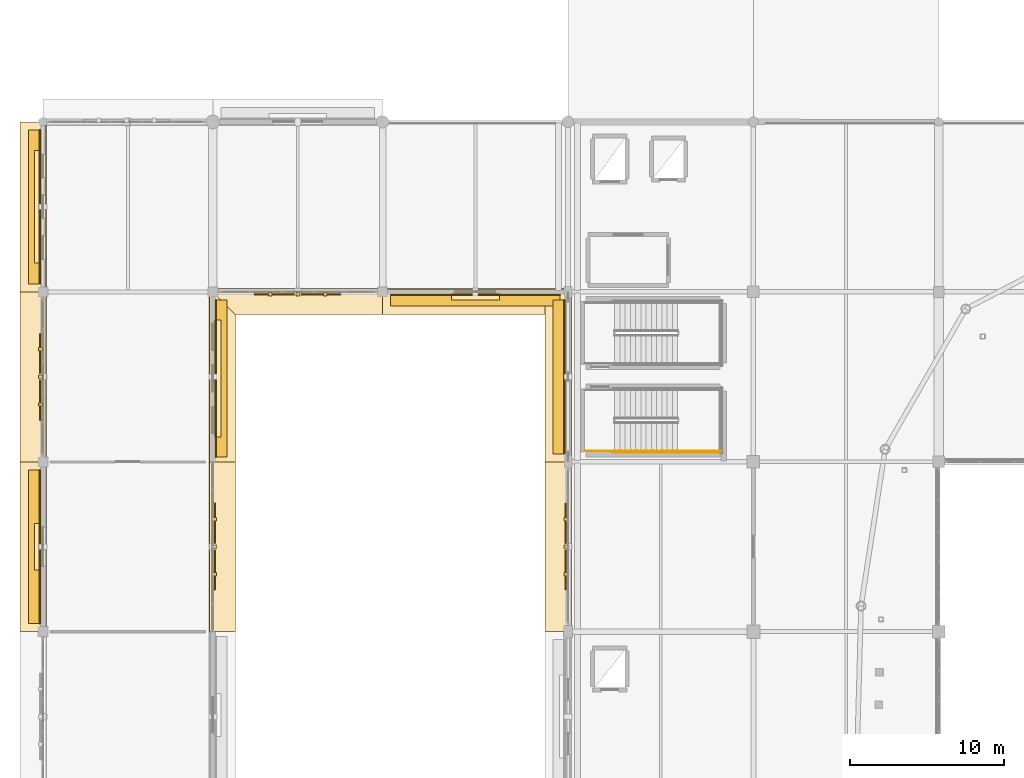
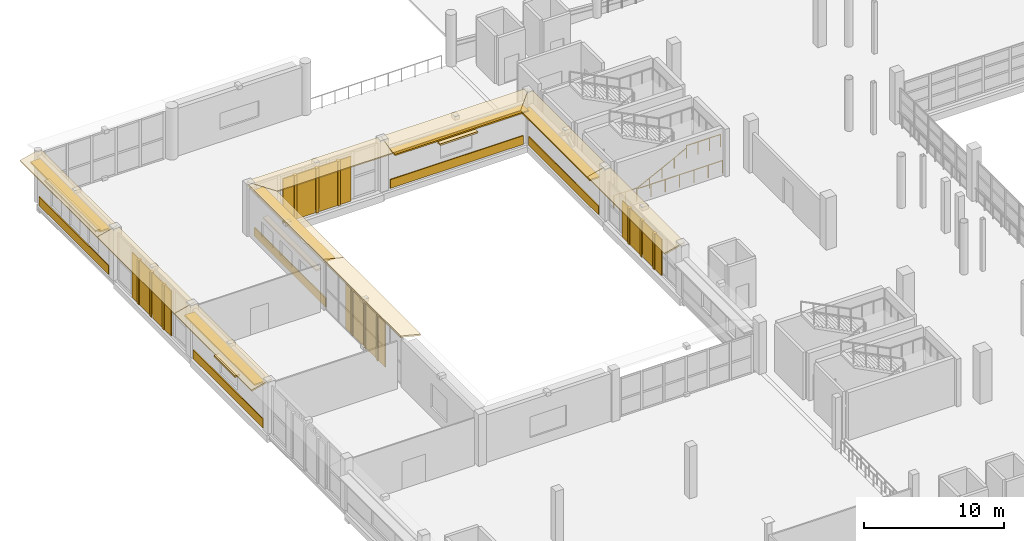
# One storey, part 104 of 118: 30 coverings, 9 shading devices, 4 railings.
"""IFC4 building model written with IfcOpenShell, lengths in metres."""

import ifcopenshell
import ifcopenshell.guid

model = None  # the IFC model being written
_history = None  # IfcOwnerHistory: only IFC2X3 demands one
_inside = {}  # id of a spatial element -> (the spatial element, [elements in it])
_under = {}  # id of a project, library or spatial element -> (it, [spatial elements below it])
_declared = {}  # id of a project -> (the project, [libraries it declares])
_typed = {}  # id of a type object -> (the type object, [elements of that type])
_made_of = {}  # id of a material, layer set ... -> (it, [elements and type objects made of it])


def new_model(schema):
    """Start an empty IFC model of exactly this schema.

    Asked for "IFC4X3", IfcOpenShell would pick the latest addendum, in which some entities
    have other attributes; the version numbers below select the first issue.
    IFC2X3 requires an IfcOwnerHistory on every rooted entity: one is made here for all.
    """
    global model, _history
    if schema == "IFC4X3":
        model = ifcopenshell.file(schema_version=(4, 3, 0, 0))
    else:
        model = ifcopenshell.file(schema=schema)
    _inside.clear()
    _under.clear()
    _declared.clear()
    _typed.clear()
    _made_of.clear()
    _history = None
    if model.schema == "IFC2X3":
        org = make("IfcOrganization", Name="unknown")
        user = make(
            "IfcPersonAndOrganization",
            ThePerson=make("IfcPerson", FamilyName="unknown"),
            TheOrganization=org,
        )
        app = make(
            "IfcApplication",
            ApplicationDeveloper=org,
            Version="unknown",
            ApplicationFullName="unknown",
            ApplicationIdentifier="unknown",
        )
        _history = make(
            "IfcOwnerHistory",
            OwningUser=user,
            OwningApplication=app,
            ChangeAction="ADDED",
            CreationDate=0,
        )
    return model


def make(cls, **values):
    """One entity of the class cls with the attributes given. An attribute that is None is left unset."""
    return model.create_entity(
        cls, **{name: value for name, value in values.items() if value is not None}
    )


def rooted(cls, **values):
    """An entity with a GlobalId (a new one), such as an element, a storey or a relation."""
    return make(cls, GlobalId=ifcopenshell.guid.new(), OwnerHistory=_history, **values)


def si_unit(unit_type, name, prefix=None):
    """IfcSIUnit, for example si_unit("LENGTHUNIT", "METRE", prefix="MILLI")."""
    return make("IfcSIUnit", UnitType=unit_type, Prefix=prefix, Name=name)


def assignment(units):
    """IfcUnitAssignment: the units of a project."""
    return None if units is None else make("IfcUnitAssignment", Units=units)


def point(xyz):
    """IfcCartesianPoint."""
    return None if xyz is None else make("IfcCartesianPoint", Coordinates=xyz)


def direction(xyz):
    """IfcDirection."""
    return None if xyz is None else make("IfcDirection", DirectionRatios=xyz)


def frame(location, z_axis=None, x_axis=None):
    """IfcAxis2Placement3D, a coordinate frame: its origin and axes. An axis left out is left unset."""
    return make(
        "IfcAxis2Placement3D",
        Location=point(location),
        Axis=direction(z_axis),
        RefDirection=direction(x_axis),
    )


def frame_2d(location, x_axis=None):
    """IfcAxis2Placement2D, a coordinate frame in the plane: its origin and x axis."""
    return make(
        "IfcAxis2Placement2D", Location=point(location), RefDirection=direction(x_axis)
    )


def origin():
    """The frame at (0, 0, 0) with its axes left unset."""
    return frame((0.0, 0.0, 0.0))


def origin_2d():
    """The frame at (0, 0) in the plane with its x axis left unset."""
    return frame_2d((0.0, 0.0))


def place(relative_to, where):
    """IfcLocalPlacement: puts the frame where relative to a parent placement (None: the world)."""
    return make(
        "IfcLocalPlacement", PlacementRelTo=relative_to, RelativePlacement=where
    )


def context(
    kind, dimensions, precision=None, world=None, true_north=None, identifier=None
):
    """IfcGeometricRepresentationContext, for example the 3D "Model" context."""
    return make(
        "IfcGeometricRepresentationContext",
        ContextIdentifier=identifier,
        ContextType=kind,
        CoordinateSpaceDimension=dimensions,
        Precision=precision,
        WorldCoordinateSystem=world,
        TrueNorth=true_north,
    )


def subcontext(parent, identifier, kind, view, scale=None):
    """IfcGeometricRepresentationSubContext, for example "Body" below "Model"."""
    return make(
        "IfcGeometricRepresentationSubContext",
        ContextIdentifier=identifier,
        ContextType=kind,
        ParentContext=parent,
        TargetScale=scale,
        TargetView=view,
    )


def project(units=None, contexts=None):
    """IfcProject with its units and contexts."""
    return rooted(
        "IfcProject",
        Name="project",
        RepresentationContexts=contexts,
        UnitsInContext=assignment(units),
    )


def spatial(cls, under=None, at=None, **own):
    """A site, building, storey or space (cls), placed at a placement, below another one or the project."""
    s = rooted(cls, ObjectPlacement=at, **own)
    if under is not None:
        _under.setdefault(under.id(), (under, []))[1].append(s)
    return s


def polyline(points):
    """IfcPolyline through the points."""
    return make("IfcPolyline", Points=[point(p) for p in points])


def profile(cls, at=None, kind="AREA", **sizes):
    """A parametric profile (cls). Its sizes go by their IFC names, for example OverallWidth=200.0."""
    return make(cls, ProfileType=kind, Position=at, **sizes)


def rectangle(**sizes):
    """IfcRectangleProfileDef."""
    return profile("IfcRectangleProfileDef", **sizes)


def circle(**sizes):
    """IfcCircleProfileDef."""
    return profile("IfcCircleProfileDef", **sizes)


def outline(outer, holes=None, kind="AREA"):
    """IfcArbitraryClosedProfileDef: a profile drawn as a closed curve; with holes, ...WithVoids."""
    if holes is None:
        return make("IfcArbitraryClosedProfileDef", ProfileType=kind, OuterCurve=outer)
    return make(
        "IfcArbitraryProfileDefWithVoids",
        ProfileType=kind,
        OuterCurve=outer,
        InnerCurves=holes,
    )


def extrude(swept, where, along, depth):
    """IfcExtrudedAreaSolid: the profile swept, set in the frame where, extruded along a direction by depth."""
    return make(
        "IfcExtrudedAreaSolid",
        SweptArea=swept,
        Position=where,
        ExtrudedDirection=direction(along),
        Depth=depth,
    )


def shape(context_of_items, identifier, shape_type, items):
    """IfcShapeRepresentation: the items that make up one representation, for example the "Body"."""
    return make(
        "IfcShapeRepresentation",
        ContextOfItems=context_of_items,
        RepresentationIdentifier=identifier,
        RepresentationType=shape_type,
        Items=items,
    )


def material(Name=None, Category=None):
    """IfcMaterial."""
    return make("IfcMaterial", Name=Name, Category=Category)


def layer(
    of_material, thickness, ventilated=None, Name=None, Category=None, Priority=None
):
    """IfcMaterialLayer: one layer of a wall or slab, of a material (None: an air gap)."""
    return make(
        "IfcMaterialLayer",
        Material=of_material,
        LayerThickness=thickness,
        IsVentilated=ventilated,
        Name=Name,
        Category=Category,
        Priority=Priority,
    )


def layer_set(layers, Name=None):
    """IfcMaterialLayerSet."""
    return make("IfcMaterialLayerSet", MaterialLayers=layers, LayerSetName=Name)


def made_of(thing, what):
    """Note that an element or type object is made of a material, layer set ...; save() writes the relation."""
    if what is not None:
        _made_of.setdefault(what.id(), (what, []))[1].append(thing)
    return thing


def type_object(cls, material=None, **own):
    """A type object (cls), such as IfcWallType, which elements share."""
    return made_of(rooted(cls, **own), material)


def element(
    cls,
    number,
    at=None,
    inside=None,
    cuts=None,
    type_object=None,
    material=None,
    context=None,
    identifier="Body",
    shape_type=None,
    held_by="IfcProductDefinitionShape",
    body=None,
    shapes=None,
    **own,
):
    """One element of the class cls, such as IfcWall. Its Tag is "e" and its number.

    at: its placement. inside: the storey or other place that contains it. cuts: it is an
    opening in that element (IfcRelVoidsElement). A single representation is given by context,
    identifier, shape_type and body (its items); several are given by shapes. held_by: the class
    of the entity that holds the representations. save() writes the other relations.
    """
    e = rooted(cls, Tag="e%d" % number, ObjectPlacement=at, **own)
    if body is not None:
        shapes = [shape(context, identifier, shape_type, body)]
    if shapes is not None:
        e.Representation = make(held_by, Representations=shapes)
    if inside is not None:
        _inside.setdefault(inside.id(), (inside, []))[1].append(e)
    if cuts is not None:
        rooted(
            "IfcRelVoidsElement", RelatingBuildingElement=cuts, RelatedOpeningElement=e
        )
    if type_object is not None:
        _typed.setdefault(type_object.id(), (type_object, []))[1].append(e)
    return made_of(e, material)


def aggregate(whole, parts):
    """IfcRelAggregates: a whole, such as a stair, and the parts it consists of."""
    return rooted("IfcRelAggregates", RelatingObject=whole, RelatedObjects=parts)


def save(model, path):
    """Write the relations noted so far, then the file.

    IfcRelAggregates (storeys below a building ...), IfcRelContainedInSpatialStructure (elements
    in a storey), IfcRelDefinesByType, IfcRelAssociatesMaterial and IfcRelDeclares: one each for
    every whole, place, type object, material and project.
    """
    for whole, parts in _under.values():
        aggregate(whole, parts)
    for where, things in _inside.values():
        rooted(
            "IfcRelContainedInSpatialStructure",
            RelatedElements=things,
            RelatingStructure=where,
        )
    for kind, things in _typed.values():
        rooted("IfcRelDefinesByType", RelatedObjects=things, RelatingType=kind)
    for what, things in _made_of.values():
        rooted("IfcRelAssociatesMaterial", RelatedObjects=things, RelatingMaterial=what)
    for by, libraries in _declared.values():
        rooted("IfcRelDeclares", RelatingContext=by, RelatedDefinitions=libraries)
    model.write(path)


model = new_model("IFC4")

# Units and contexts
model_context = context("Model", 3, precision=1e-05, world=origin(), true_north=direction((0.0, 1.0)))
body_context = subcontext(model_context, "Body", "Model", "MODEL_VIEW")
ifc_project = project(units=[si_unit("LENGTHUNIT", "METRE"), si_unit("AREAUNIT", "SQUARE_METRE"), si_unit("VOLUMEUNIT", "CUBIC_METRE"), si_unit("PLANEANGLEUNIT", "RADIAN"), si_unit("MASSUNIT", "GRAM", prefix="KILO")], contexts=[model_context])

# Site, building, storey
site_placement = place(None, origin())
site = spatial("IfcSite", under=ifc_project, at=site_placement, CompositionType="ELEMENT")
building_placement = place(site_placement, origin())
building = spatial("IfcBuilding", under=site, at=building_placement, Name="Luwafu Chhajja Arena", CompositionType="ELEMENT")
storey_placement = place(building_placement, frame((0.0, 0.0, 10.199951171875)))
storey = spatial("IfcBuildingStorey", under=building, at=storey_placement, Name="L02", CompositionType="ELEMENT", Elevation=10.199951171875)

# Coverings
ifc_material_1 = material(Name="Red laterite sandstone cladding", Category="masonry")
ifc_layer_1 = layer(ifc_material_1, 0.074951171875, Name="Red laterite sandstone cladding")
ifc_layer_set_1 = layer_set([ifc_layer_1], Name="Red laterite sandstone cladding")
covering_type = type_object("IfcCoveringType", Name="Dressed Red-Laterite Sandstone Cladding", PredefinedType="CLADDING", material=ifc_layer_set_1)
covering_1_placement = place(storey_placement, frame((0.199951171875, 66.0, 4.4599609375), z_axis=(-0.242502450825, 0.0, 0.970150793096), x_axis=(0.0, 1.0, 0.0)))
element("IfcCovering", 1, at=covering_1_placement, inside=storey, type_object=covering_type, Name="L02 Continuous Sloped Sandstone Chhajja Eave 0132", PredefinedType="CLADDING", context=body_context, shape_type="SweptSolid", body=[
    extrude(outline(polyline([(0.0, 0.0), (11.0, 0.0), (11.0, 1.731619097341133), (0.0, 1.731619097341133), (0.0, 0.0)])), origin(), (0.0, 0.0, -1.0), 0.1298828125),
])
covering_2_placement = place(storey_placement, frame((-0.19189453125, 71.5, 0.0), z_axis=(0.0, 0.0, 1.0), x_axis=(0.0, 1.0, 0.0)))
element("IfcCovering", 2, at=covering_2_placement, inside=storey, type_object=covering_type, Name="L02 Red-Laterite Sandstone Plinth Cladding 047", PredefinedType="CLADDING", context=body_context, shape_type="SweptSolid", body=[
    extrude(rectangle(XDim=9.9599609375, YDim=0.0849609375, at=origin_2d()), origin(), (0.0, 0.0, 1.0), 0.760009765625),
])
covering_3_placement = place(storey_placement, frame((-0.320068359375, 71.5, 2.3798828125), z_axis=(0.0, 0.0, 1.0), x_axis=(0.0, 1.0, 0.0)))
element("IfcCovering", 3, at=covering_3_placement, inside=storey, type_object=covering_type, Name="L02 Mughal Sandstone Window Chhajja Hood 0046", PredefinedType="CLADDING", context=body_context, shape_type="SweptSolid", body=[
    extrude(rectangle(XDim=3.0, YDim=0.419921875, at=origin_2d()), origin(), (0.0, 0.0, 1.0), 0.139892578125),
])
covering_4_placement = place(storey_placement, frame((10.800048828125, 66.0, 4.4599609375), z_axis=(0.242502450825, 0.0, 0.970150793096), x_axis=(0.0, 1.0, 0.0)))
element("IfcCovering", 4, at=covering_4_placement, inside=storey, type_object=covering_type, Name="L02 Continuous Sloped Sandstone Chhajja Eave 0133", PredefinedType="CLADDING", context=body_context, shape_type="SweptSolid", body=[
    extrude(outline(polyline([(0.0, 0.0), (11.0, 0.0), (11.0, -1.731619097341133), (0.0, -1.731619097341133), (0.0, 0.0)])), origin(), (0.0, 0.0, -1.0), 0.1298828125),
])
for number, where, z_axis, x_axis, name in (
    (5, (11.110107421875, 69.7080078125, 0.0), (0.0, 0.0, 1.0), (0.0, 1.0, 0.0), "L02 Sandstone Jali Mullion Fin 028"),
    (6, (11.110107421875, 71.5, 0.0), (0.0, 0.0, 1.0), (0.0, 1.0, 0.0), "L02 Sandstone Jali Mullion Fin 028"),
    (7, (11.110107421875, 73.2919921875, 0.0), (0.0, 0.0, 1.0), (0.0, 1.0, 0.0), "L02 Sandstone Jali Mullion Fin 028"),
):
    element("IfcCovering", number, at=place(storey_placement, frame(where, z_axis=z_axis, x_axis=x_axis)), inside=storey, type_object=covering_type, Name=name, PredefinedType="CLADDING", context=body_context, shape_type="SweptSolid", body=[
        extrude(rectangle(XDim=0.219970703125, YDim=0.239990234375, at=origin_2d()), origin(), (0.0, 0.0, 1.0), 3.89501953125),
    ])
covering_5_placement = place(storey_placement, frame((0.199951171875, 77.0, 4.4599609375), z_axis=(-0.242502450825, 0.0, 0.970150793096), x_axis=(0.0, 1.0, 0.0)))
element("IfcCovering", 8, at=covering_5_placement, inside=storey, type_object=covering_type, Name="L02 Continuous Sloped Sandstone Chhajja Eave 0134", PredefinedType="CLADDING", context=body_context, shape_type="SweptSolid", body=[
    extrude(outline(polyline([(0.0, 0.0), (11.0, 0.0), (11.0, 1.731619097341133), (0.0, 1.731619097341133), (0.0, 0.0)])), origin(), (0.0, 0.0, -1.0), 0.1298828125),
])
for number, where, z_axis, x_axis, name in (
    (9, (-0.14990234375, 80.7080078125, 0.0), (0.0, 0.0, 1.0), (0.0, 1.0, 0.0), "L02 Sandstone Jali Mullion Fin 029"),
    (10, (-0.14990234375, 82.5, 0.0), (0.0, 0.0, 1.0), (0.0, 1.0, 0.0), "L02 Sandstone Jali Mullion Fin 029"),
    (11, (-0.14990234375, 84.2919921875, 0.0), (0.0, 0.0, 1.0), (0.0, 1.0, 0.0), "L02 Sandstone Jali Mullion Fin 029"),
):
    element("IfcCovering", number, at=place(storey_placement, frame(where, z_axis=z_axis, x_axis=x_axis)), inside=storey, type_object=covering_type, Name=name, PredefinedType="CLADDING", context=body_context, shape_type="SweptSolid", body=[
        extrude(rectangle(XDim=0.219970703125, YDim=0.239990234375, at=origin_2d()), origin(), (0.0, 0.0, 1.0), 3.89501953125),
    ])
covering_6_placement = place(storey_placement, frame((10.800048828125, 77.0, 4.4599609375), z_axis=(0.242502450825, 0.0, 0.970150793096), x_axis=(0.0, 1.0, 0.0)))
element("IfcCovering", 12, at=covering_6_placement, inside=storey, type_object=covering_type, Name="L02 Continuous Sloped Sandstone Chhajja Eave 0135", PredefinedType="CLADDING", context=body_context, shape_type="SweptSolid", body=[
    extrude(outline(polyline([(0.0, 0.0), (11.0, 0.0), (11.0, -1.731619097341133), (0.0, -1.731619097341133), (0.0, 0.0)])), origin(), (0.0, 0.0, -1.0), 0.1298828125),
])
covering_7_placement = place(storey_placement, frame((11.19189453125, 82.389892578125, 0.0), z_axis=(0.0, 0.0, 1.0), x_axis=(0.0, 1.0, 0.0)))
element("IfcCovering", 13, at=covering_7_placement, inside=storey, type_object=covering_type, Name="L02 Red-Laterite Sandstone Plinth Cladding 048", PredefinedType="CLADDING", context=body_context, shape_type="SweptSolid", body=[
    extrude(rectangle(XDim=10.179931640625, YDim=0.0849609375, at=origin_2d()), origin(), (0.0, 0.0, 1.0), 0.760009765625),
])
covering_8_placement = place(storey_placement, frame((11.320068359375, 82.389892578125, 2.330078125), z_axis=(0.0, 0.0, 1.0), x_axis=(0.0, 1.0, 0.0)))
element("IfcCovering", 14, at=covering_8_placement, inside=storey, type_object=covering_type, Name="L02 Mughal Sandstone Window Chhajja Hood 0047", PredefinedType="CLADDING", context=body_context, shape_type="SweptSolid", body=[
    extrude(rectangle(XDim=7.590087890625, YDim=0.419921875, at=origin_2d()), origin(), (0.0, 0.0, 1.0), 0.139892578125),
])
covering_9_placement = place(storey_placement, frame((0.199951171875, 88.0, 4.4599609375), z_axis=(-0.242502450825, 0.0, 0.970150793096), x_axis=(0.0, 1.0, 0.0)))
element("IfcCovering", 15, at=covering_9_placement, inside=storey, type_object=covering_type, Name="L02 Continuous Sloped Sandstone Chhajja Eave 0137", PredefinedType="CLADDING", context=body_context, shape_type="SweptSolid", body=[
    extrude(outline(polyline([(0.0, 0.0), (11.0, 0.0), (11.0, 1.731619097341133), (0.0, 1.731619097341133), (0.0, 0.0)])), origin(), (0.0, 0.0, -1.0), 0.1298828125),
])
covering_10_placement = place(storey_placement, frame((-0.19189453125, 93.5, 0.0), z_axis=(0.0, 0.0, 1.0), x_axis=(0.0, 1.0, 0.0)))
element("IfcCovering", 16, at=covering_10_placement, inside=storey, type_object=covering_type, Name="L02 Red-Laterite Sandstone Plinth Cladding 049", PredefinedType="CLADDING", context=body_context, shape_type="SweptSolid", body=[
    extrude(rectangle(XDim=9.9599609375, YDim=0.0849609375, at=origin_2d()), origin(), (0.0, 0.0, 1.0), 0.760009765625),
])
covering_11_placement = place(storey_placement, frame((-0.320068359375, 93.5, 2.97998046875), z_axis=(0.0, 0.0, 1.0), x_axis=(0.0, 1.0, 0.0)))
element("IfcCovering", 17, at=covering_11_placement, inside=storey, type_object=covering_type, Name="L02 Mughal Sandstone Window Chhajja Hood 0048", PredefinedType="CLADDING", context=body_context, shape_type="SweptSolid", body=[
    extrude(rectangle(XDim=7.280029296875, YDim=0.419921875, at=origin_2d()), origin(), (0.0, 0.0, 1.0), 0.139892578125),
])
covering_12_placement = place(storey_placement, frame((11.0, 88.199951171875, 4.4599609375), z_axis=(0.0, -0.242502450825, 0.970150793096), x_axis=(1.0, 0.0, 0.0)))
element("IfcCovering", 18, at=covering_12_placement, inside=storey, type_object=covering_type, Name="L02 Continuous Sloped Sandstone Chhajja Eave 0142", PredefinedType="CLADDING", context=body_context, shape_type="SweptSolid", body=[
    extrude(outline(polyline([(0.0, 0.0), (11.0, 0.0), (11.0, -1.731619097341133), (0.0, -1.731619097341133), (0.0, 0.0)])), origin(), (0.0, 0.0, -1.0), 0.1298828125),
])
for number, where, z_axis, x_axis, name in (
    (19, (14.7080078125, 87.85009765625, 0.0), (0.0, 0.0, 1.0), (1.0, 0.0, 0.0), "L02 Sandstone Jali Mullion Fin 032"),
    (20, (16.5, 87.85009765625, 0.0), (0.0, 0.0, 1.0), (1.0, 0.0, 0.0), "L02 Sandstone Jali Mullion Fin 032"),
    (21, (18.2919921875, 87.85009765625, 0.0), (0.0, 0.0, 1.0), (1.0, 0.0, 0.0), "L02 Sandstone Jali Mullion Fin 032"),
):
    element("IfcCovering", number, at=place(storey_placement, frame(where, z_axis=z_axis, x_axis=x_axis)), inside=storey, type_object=covering_type, Name=name, PredefinedType="CLADDING", context=body_context, shape_type="SweptSolid", body=[
        extrude(rectangle(XDim=0.219970703125, YDim=0.239990234375, at=origin_2d()), origin(), (0.0, 0.0, 1.0), 3.89501953125),
    ])
covering_13_placement = place(storey_placement, frame((22.0, 88.199951171875, 4.4599609375), z_axis=(0.0, -0.242502450825, 0.970150793096), x_axis=(1.0, 0.0, 0.0)))
element("IfcCovering", 22, at=covering_13_placement, inside=storey, type_object=covering_type, Name="L02 Continuous Sloped Sandstone Chhajja Eave 0147", PredefinedType="CLADDING", context=body_context, shape_type="SweptSolid", body=[
    extrude(outline(polyline([(0.0, 0.0), (12.0, 0.0), (12.0, -1.731619097341133), (0.0, -1.731619097341133), (0.0, 0.0)])), origin(), (0.0, 0.0, -1.0), 0.1298828125),
])
covering_14_placement = place(storey_placement, frame((28.0, 87.80810546875, 0.0), z_axis=(0.0, 0.0, 1.0), x_axis=(1.0, 0.0, 0.0)))
element("IfcCovering", 23, at=covering_14_placement, inside=storey, type_object=covering_type, Name="L02 Red-Laterite Sandstone Plinth Cladding 053", PredefinedType="CLADDING", context=body_context, shape_type="SweptSolid", body=[
    extrude(rectangle(XDim=10.9599609375, YDim=0.0849609375, at=origin_2d()), origin(), (0.0, 0.0, 1.0), 0.760009765625),
])
covering_15_placement = place(storey_placement, frame((28.0, 87.679931640625, 2.5302734375), z_axis=(0.0, 0.0, 1.0), x_axis=(1.0, 0.0, 0.0)))
element("IfcCovering", 24, at=covering_15_placement, inside=storey, type_object=covering_type, Name="L02 Mughal Sandstone Window Chhajja Hood 0052", PredefinedType="CLADDING", context=body_context, shape_type="SweptSolid", body=[
    extrude(rectangle(XDim=3.10009765625, YDim=0.419921875, at=origin_2d()), origin(), (0.0, 0.0, 1.0), 0.139892578125),
])
covering_16_placement = place(storey_placement, frame((34.199951171875, 66.0, 4.4599609375), z_axis=(-0.242502450825, 0.0, 0.970150793096), x_axis=(0.0, 1.0, 0.0)))
element("IfcCovering", 25, at=covering_16_placement, inside=storey, type_object=covering_type, Name="L02 Continuous Sloped Sandstone Chhajja Eave 0150", PredefinedType="CLADDING", context=body_context, shape_type="SweptSolid", body=[
    extrude(outline(polyline([(0.0, 0.0), (11.0, 0.0), (11.0, 1.731619097341133), (0.0, 1.731619097341133), (0.0, 0.0)])), origin(), (0.0, 0.0, -1.0), 0.1298828125),
])
for number, where, z_axis, x_axis, name in (
    (26, (33.8701171875, 69.7080078125, 0.0), (0.0, 0.0, 1.0), (0.0, 1.0, 0.0), "L02 Sandstone Jali Mullion Fin 036"),
    (27, (33.8701171875, 71.5, 0.0), (0.0, 0.0, 1.0), (0.0, 1.0, 0.0), "L02 Sandstone Jali Mullion Fin 036"),
    (28, (33.8701171875, 73.2919921875, 0.0), (0.0, 0.0, 1.0), (0.0, 1.0, 0.0), "L02 Sandstone Jali Mullion Fin 036"),
):
    element("IfcCovering", number, at=place(storey_placement, frame(where, z_axis=z_axis, x_axis=x_axis)), inside=storey, type_object=covering_type, Name=name, PredefinedType="CLADDING", context=body_context, shape_type="SweptSolid", body=[
        extrude(rectangle(XDim=0.219970703125, YDim=0.239990234375, at=origin_2d()), origin(), (0.0, 0.0, 1.0), 3.155029296875),
    ])
covering_17_placement = place(storey_placement, frame((34.199951171875, 77.0, 4.4599609375), z_axis=(-0.242502450825, 0.0, 0.970150793096), x_axis=(0.0, 1.0, 0.0)))
element("IfcCovering", 29, at=covering_17_placement, inside=storey, type_object=covering_type, Name="L02 Continuous Sloped Sandstone Chhajja Eave 0151", PredefinedType="CLADDING", context=body_context, shape_type="SweptSolid", body=[
    extrude(outline(polyline([(0.0, 0.0), (11.0, 0.0), (11.0, 1.731619097341133), (0.0, 1.731619097341133), (0.0, 0.0)])), origin(), (0.0, 0.0, -1.0), 0.1298828125),
])
covering_18_placement = place(storey_placement, frame((33.76806640625, 82.5, 0.0), z_axis=(0.0, 0.0, 1.0), x_axis=(0.0, 1.0, 0.0)))
element("IfcCovering", 30, at=covering_18_placement, inside=storey, type_object=covering_type, Name="L02 Red-Laterite Sandstone Plinth Cladding 055", PredefinedType="CLADDING", context=body_context, shape_type="SweptSolid", body=[
    extrude(rectangle(XDim=9.9599609375, YDim=0.0849609375, at=origin_2d()), origin(), (0.0, 0.0, 1.0), 0.760009765625),
])

# Shading devices
ifc_material_2 = material(Name="Pierced buff sandstone jali", Category="masonry")
ifc_layer_2 = layer(ifc_material_2, 0.080078125, Name="Pierced buff sandstone jali")
ifc_layer_set_2 = layer_set([ifc_layer_2], Name="Pierced buff sandstone jali")
shading_device_type_1 = type_object("IfcShadingDeviceType", Name="Pierced Buff-Sandstone Jali Screen", PredefinedType="JALOUSIE", material=ifc_layer_set_2)
for number, where, z_axis, x_axis, name in (
    (31, (11.110107421875, 71.5, 0.0), (0.0, 0.0, 1.0), (0.0, 1.0, 0.0), "L02 Pierced Buff-Sandstone Jali Screen 028"),
    (32, (-0.14990234375, 82.5, 0.0), (0.0, 0.0, 1.0), (0.0, 1.0, 0.0), "L02 Pierced Buff-Sandstone Jali Screen 029"),
    (33, (16.5, 87.85009765625, 0.0), (0.0, 0.0, 1.0), (1.0, 0.0, 0.0), "L02 Pierced Buff-Sandstone Jali Screen 032"),
):
    element("IfcShadingDevice", number, at=place(storey_placement, frame(where, z_axis=z_axis, x_axis=x_axis)), inside=storey, type_object=shading_device_type_1, Name=name, PredefinedType="JALOUSIE", context=body_context, shape_type="SweptSolid", body=[
        extrude(rectangle(XDim=5.60009765625, YDim=0.080078125, at=origin_2d()), origin(), (0.0, 0.0, 1.0), 3.89501953125),
    ])
shading_device_1_placement = place(storey_placement, frame((33.8701171875, 71.5, 0.0), z_axis=(0.0, 0.0, 1.0), x_axis=(0.0, 1.0, 0.0)))
element("IfcShadingDevice", 34, at=shading_device_1_placement, inside=storey, type_object=shading_device_type_1, Name="L02 Pierced Buff-Sandstone Jali Screen 036", PredefinedType="JALOUSIE", context=body_context, shape_type="SweptSolid", body=[
    extrude(rectangle(XDim=5.60009765625, YDim=0.080078125, at=origin_2d()), origin(), (0.0, 0.0, 1.0), 3.155029296875),
])
ifc_material_3 = material(Name="Red laterite sandstone chhajja", Category="masonry")
ifc_layer_3 = layer(ifc_material_3, 0.1201171875, Name="Red laterite sandstone chhajja")
ifc_layer_set_3 = layer_set([ifc_layer_3], Name="Red laterite sandstone chhajja")
shading_device_type_2 = type_object("IfcShadingDeviceType", Name="Sloped Red-Sandstone Chhajja Eave", PredefinedType="USERDEFINED", material=ifc_layer_set_3)
shading_device_2_placement = place(storey_placement, frame((-0.52001953125, 71.5, 3.925048828125), z_axis=(0.0, 0.0, 1.0), x_axis=(0.0, 1.0, 0.0)))
element("IfcShadingDevice", 35, at=shading_device_2_placement, inside=storey, type_object=shading_device_type_2, Name="L02 Sloped Red-Sandstone Chhajja Eave 044", ObjectType="CHHAJJA", PredefinedType="USERDEFINED", context=body_context, shape_type="SweptSolid", body=[
    extrude(rectangle(XDim=9.9599609375, YDim=0.820068359375, at=origin_2d()), origin(), (0.0, 0.0, 1.0), 0.1201171875),
])
shading_device_3_placement = place(storey_placement, frame((11.52001953125, 82.389892578125, 3.925048828125), z_axis=(0.0, 0.0, 1.0), x_axis=(0.0, 1.0, 0.0)))
element("IfcShadingDevice", 36, at=shading_device_3_placement, inside=storey, type_object=shading_device_type_2, Name="L02 Sloped Red-Sandstone Chhajja Eave 045", ObjectType="CHHAJJA", PredefinedType="USERDEFINED", context=body_context, shape_type="SweptSolid", body=[
    extrude(rectangle(XDim=10.179931640625, YDim=0.820068359375, at=origin_2d()), origin(), (0.0, 0.0, 1.0), 0.1201171875),
])
shading_device_4_placement = place(storey_placement, frame((-0.52001953125, 93.5, 3.925048828125), z_axis=(0.0, 0.0, 1.0), x_axis=(0.0, 1.0, 0.0)))
element("IfcShadingDevice", 37, at=shading_device_4_placement, inside=storey, type_object=shading_device_type_2, Name="L02 Sloped Red-Sandstone Chhajja Eave 046", ObjectType="CHHAJJA", PredefinedType="USERDEFINED", context=body_context, shape_type="SweptSolid", body=[
    extrude(rectangle(XDim=9.9599609375, YDim=0.820068359375, at=origin_2d()), origin(), (0.0, 0.0, 1.0), 0.1201171875),
])
shading_device_5_placement = place(storey_placement, frame((28.0, 87.47998046875, 3.27001953125), z_axis=(0.0, 0.0, 1.0), x_axis=(1.0, 0.0, 0.0)))
element("IfcShadingDevice", 38, at=shading_device_5_placement, inside=storey, type_object=shading_device_type_2, Name="L02 Sloped Red-Sandstone Chhajja Eave 050", ObjectType="CHHAJJA", PredefinedType="USERDEFINED", context=body_context, shape_type="SweptSolid", body=[
    extrude(rectangle(XDim=10.9599609375, YDim=0.820068359375, at=origin_2d()), origin(), (0.0, 0.0, 1.0), 0.1201171875),
])
shading_device_6_placement = place(storey_placement, frame((33.43994140625, 82.5, 3.18505859375), z_axis=(0.0, 0.0, 1.0), x_axis=(0.0, 1.0, 0.0)))
element("IfcShadingDevice", 39, at=shading_device_6_placement, inside=storey, type_object=shading_device_type_2, Name="L02 Sloped Red-Sandstone Chhajja Eave 052", ObjectType="CHHAJJA", PredefinedType="USERDEFINED", context=body_context, shape_type="SweptSolid", body=[
    extrude(rectangle(XDim=9.9599609375, YDim=0.820068359375, at=origin_2d()), origin(), (0.0, 0.0, 1.0), 0.1201171875),
])

# Railings
ifc_material_4 = material(Name="Stainless steel handrail", Category="steel")
railing_type_1 = type_object("IfcRailingType", Name="Stair Pitch Wall Handrail 920", PredefinedType="HANDRAIL", material=ifc_material_4)
railing_1_placement = place(storey_placement, frame((37.02001953125, 77.699951171875, 0.173095703125)))
element("IfcRailing", 40, at=railing_1_placement, inside=storey, type_object=railing_type_1, Name="L02 ST-05 stair handrail 1", PredefinedType="HANDRAIL", context=body_context, shape_type="SweptSolid", body=[
    extrude(circle(Radius=0.02392578125, at=origin_2d()), frame((0.0, 0.0, 0.8759765625), z_axis=(0.891183106714, 0.0, 0.453643770274), x_axis=(0.0, 1.0, 0.0)), (0.0, 0.0, 1.0), 4.578369140625),
    extrude(circle(Radius=0.02099609375, at=origin_2d()), origin(), (0.0, 0.0, 1.0), 0.851806640625),
    extrude(circle(Radius=0.02099609375, at=origin_2d()), frame((1.02001953125, 0.0, 0.519287109375)), (0.0, 0.0, 1.0), 0.851806640625),
    extrude(circle(Radius=0.02099609375, at=origin_2d()), frame((2.0400390625, 0.0, 1.03857421875)), (0.0, 0.0, 1.0), 0.851806640625),
    extrude(circle(Radius=0.02099609375, at=origin_2d()), frame((3.06005859375, 0.0, 1.5576171875)), (0.0, 0.0, 1.0), 0.851806640625),
    extrude(circle(Radius=0.02099609375, at=origin_2d()), frame((4.080078125, 0.0, 2.076904296875)), (0.0, 0.0, 1.0), 0.851806640625),
])
ifc_material_5 = material(Name="Stainless steel balustrade", Category="steel")
railing_type_2 = type_object("IfcRailingType", Name="Stair and Terrace Guard Balustrade 1100", PredefinedType="BALUSTRADE", material=ifc_material_5)
railing_2_placement = place(storey_placement, frame((41.10009765625, 77.699951171875, 2.25)))
element("IfcRailing", 41, at=railing_2_placement, inside=storey, type_object=railing_type_2, Name="L02 ST-05 stair guard 3", PredefinedType="BALUSTRADE", context=body_context, shape_type="SweptSolid", body=[
    extrude(circle(Radius=0.02392578125, at=origin_2d()), frame((0.0, 0.0, 1.076171875), z_axis=(1.0, 0.0, 0.0), x_axis=(0.0, 1.0, 0.0)), (0.0, 0.0, 1.0), 2.7998046875),
    extrude(circle(Radius=0.02099609375, at=origin_2d()), origin(), (0.0, 0.0, 1.0), 1.052001953125),
    extrude(circle(Radius=0.02099609375, at=origin_2d()), frame((0.933349609375, 0.0, 0.0)), (0.0, 0.0, 1.0), 1.052001953125),
    extrude(circle(Radius=0.02099609375, at=origin_2d()), frame((1.866455078125, 0.0, 0.0)), (0.0, 0.0, 1.0), 1.052001953125),
    extrude(circle(Radius=0.02099609375, at=origin_2d()), frame((2.7998046875, 0.0, 0.0)), (0.0, 0.0, 1.0), 1.052001953125),
])
railing_3_placement = place(storey_placement, frame((35.10009765625, 77.699951171875, 0.0)))
element("IfcRailing", 42, at=railing_3_placement, inside=storey, type_object=railing_type_2, Name="L02 ST-05 stair guard 8", PredefinedType="BALUSTRADE", context=body_context, shape_type="SweptSolid", body=[
    extrude(circle(Radius=0.02392578125, at=origin_2d()), frame((0.0, 0.0, 1.076171875), z_axis=(1.0, 0.0, 0.0), x_axis=(0.0, 1.0, 0.0)), (0.0, 0.0, 1.0), 1.919921875),
    extrude(circle(Radius=0.02099609375, at=origin_2d()), origin(), (0.0, 0.0, 1.0), 1.052001953125),
    extrude(circle(Radius=0.02099609375, at=origin_2d()), frame((0.9599609375, 0.0, 0.0)), (0.0, 0.0, 1.0), 1.052001953125),
    extrude(circle(Radius=0.02099609375, at=origin_2d()), frame((1.919921875, 0.0, 0.0)), (0.0, 0.0, 1.0), 1.052001953125),
])
railing_4_placement = place(storey_placement, frame((36.919921875, 77.60009765625, 0.0)))
element("IfcRailing", 43, at=railing_4_placement, inside=storey, type_object=railing_type_2, Name="L02 ST-05 stair guard 10", PredefinedType="BALUSTRADE", context=body_context, shape_type="SweptSolid", body=[
    extrude(circle(Radius=0.02392578125, at=origin_2d()), frame((0.0, 0.0, 1.076171875), z_axis=(1.0, 0.0, 0.0), x_axis=(0.0, 1.0, 0.0)), (0.0, 0.0, 1.0), 7.080078125),
    extrude(circle(Radius=0.02099609375, at=origin_2d()), origin(), (0.0, 0.0, 1.0), 1.052001953125),
    extrude(circle(Radius=0.02099609375, at=origin_2d()), frame((1.179931640625, 0.0, 0.0)), (0.0, 0.0, 1.0), 1.052001953125),
    extrude(circle(Radius=0.02099609375, at=origin_2d()), frame((2.360107421875, 0.0, 0.0)), (0.0, 0.0, 1.0), 1.052001953125),
    extrude(circle(Radius=0.02099609375, at=origin_2d()), frame((3.5400390625, 0.0, 0.0)), (0.0, 0.0, 1.0), 1.052001953125),
    extrude(circle(Radius=0.02099609375, at=origin_2d()), frame((4.719970703125, 0.0, 0.0)), (0.0, 0.0, 1.0), 1.052001953125),
    extrude(circle(Radius=0.02099609375, at=origin_2d()), frame((5.900146484375, 0.0, 0.0)), (0.0, 0.0, 1.0), 1.052001953125),
    extrude(circle(Radius=0.02099609375, at=origin_2d()), frame((7.080078125, 0.0, 0.0)), (0.0, 0.0, 1.0), 1.052001953125),
])

save(model, "model.ifc")
